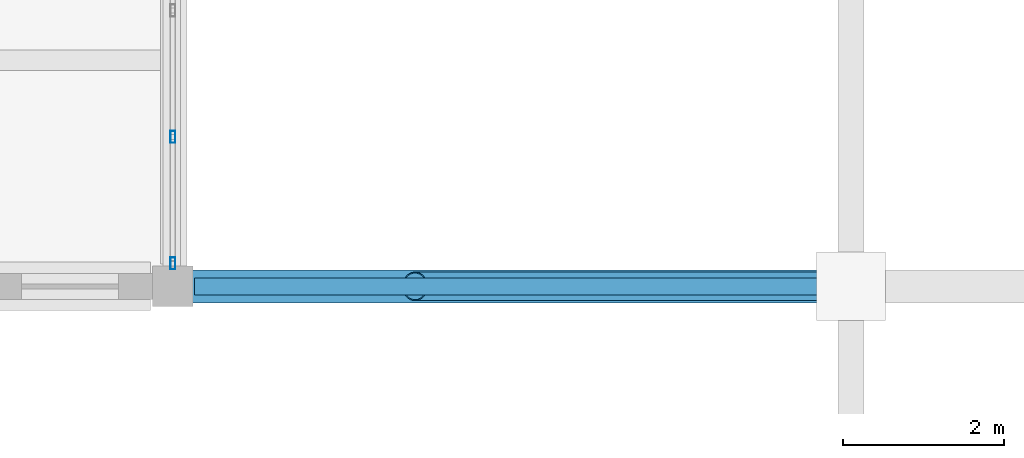
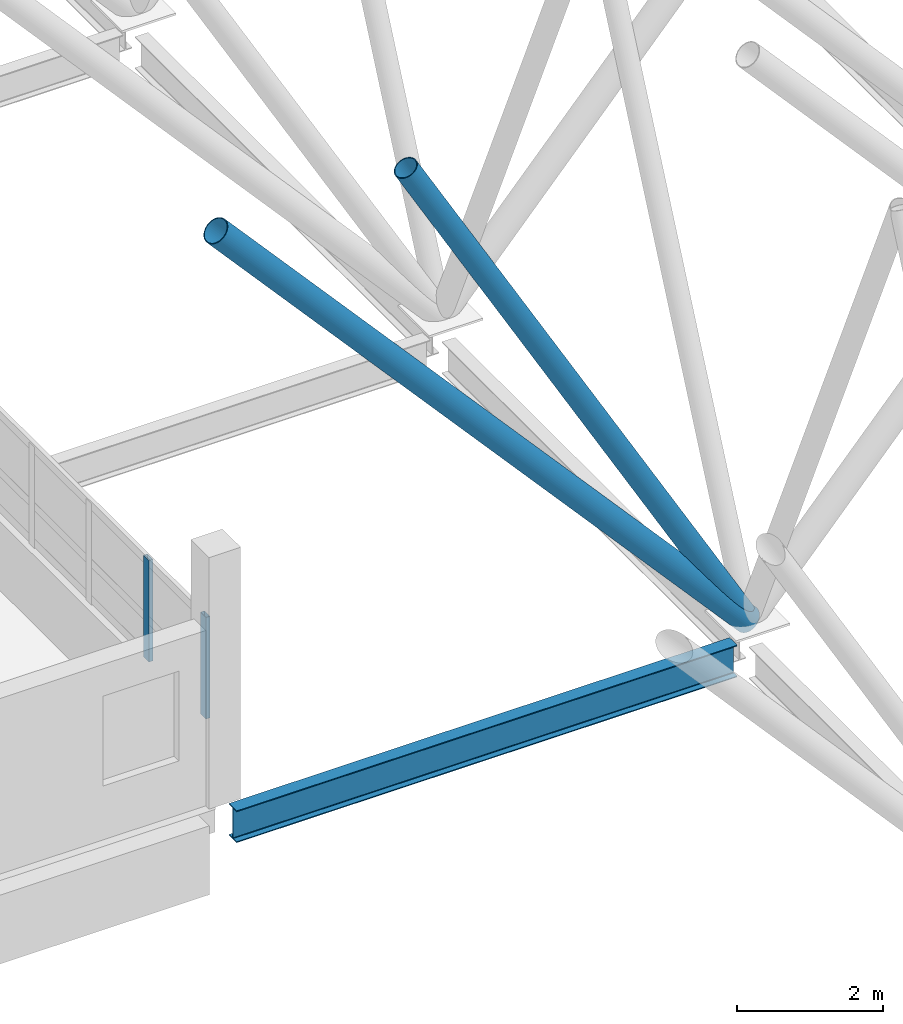
# One storey, part 7 of 107: 4 members, 1 beam, 1 element without a shape of its own.
"""IFC4 building model written with IfcOpenShell, lengths in metres."""

from ifc_helpers import new_model, si_unit, direction, frame, origin, origin_2d, place, context, subcontext, project, spatial, hollow_rectangle, hollow_circle, i_section, extrude, material, layer, layer_set, material_profile, profile_set, type_object, element, aggregate, save


model = new_model("IFC4")

# Units and contexts
model_context = context("Model", 3, precision=1e-05, world=origin(), true_north=direction((0.0, 1.0)))
body_context = subcontext(model_context, "Body", "Model", "MODEL_VIEW")
ifc_project = project(units=[si_unit("LENGTHUNIT", "METRE"), si_unit("AREAUNIT", "SQUARE_METRE"), si_unit("VOLUMEUNIT", "CUBIC_METRE"), si_unit("PLANEANGLEUNIT", "RADIAN"), si_unit("MASSUNIT", "GRAM", prefix="KILO")], contexts=[model_context])

# Site, building, storey
site_placement = place(None, origin())
site = spatial("IfcSite", under=ifc_project, at=site_placement, CompositionType="ELEMENT")
building_placement = place(site_placement, origin())
building = spatial("IfcBuilding", under=site, at=building_placement, Name="Vireocrest Preparatory School", CompositionType="ELEMENT")
storey_placement = place(building_placement, frame((0.0, 0.0, 13.199951171875)))
storey = spatial("IfcBuildingStorey", under=building, at=storey_placement, Name="L03", CompositionType="ELEMENT", Elevation=13.199951171875)

# Curtain wall, members
ifc_material_1 = material(Name="Thermally broken aluminium EN AW-6063-T6", Category="aluminium")
ifc_layer = layer(ifc_material_1, 0.179931640625)
ifc_layer_set = layer_set([ifc_layer], Name="Thermally broken aluminium EN AW-6063-T6")
curtain_wall_type = type_object("IfcCurtainWallType", Name="Court Banded Curtain Wall 8400x3000", PredefinedType="USERDEFINED", material=ifc_layer_set)
curtain_wall_placement = place(storey_placement, origin())
curtain_wall = element("IfcCurtainWall", 1, at=curtain_wall_placement, inside=storey, type_object=curtain_wall_type, Name="Curtain Wall CW02 CW_L03_CW02_0672_0356_144", ObjectType="CURTAIN WALL", PredefinedType="USERDEFINED")
ifc_material_profile_1 = material_profile(ifc_material_1, hollow_rectangle(XDim=0.06494140625, YDim=0.14990234375, WallThickness=0.00390625, at=origin_2d()), Name="ALU 65x150x4")
ifc_profile_set_1 = profile_set([ifc_material_profile_1], Name="Thermally broken aluminium EN AW-6063-T6")
member_type_1 = type_object("IfcMemberType", Name="CW Mullion 65x150x4", PredefinedType="MULLION", material=ifc_profile_set_1)
member_1_placement = place(storey_placement, frame((67.199951171875, 35.68505859375, 1.150146484375), z_axis=(0.0, 0.0, 1.0), x_axis=(1.0, 0.0, 0.0)))
member_1 = element("IfcMember", 2, at=member_1_placement, type_object=member_type_1, Name="CW Mullion ML1 CW_L03_CW02_0672_0356_144-1", PredefinedType="MULLION", context=body_context, shape_type="SweptSolid", body=[
    extrude(hollow_rectangle(XDim=0.06494140625, YDim=0.14990234375, WallThickness=0.00390625, at=origin_2d()), origin(), (0.0, 0.0, 1.0), 1.69482421875),
])
member_2_placement = place(storey_placement, frame((67.199951171875, 37.2509765625, 1.150146484375), z_axis=(0.0, 0.0, 1.0), x_axis=(1.0, 0.0, 0.0)))
member_2 = element("IfcMember", 3, at=member_2_placement, type_object=member_type_1, Name="CW Mullion ML1 CW_L03_CW02_0672_0356_144-2", PredefinedType="MULLION", context=body_context, shape_type="SweptSolid", body=[
    extrude(hollow_rectangle(XDim=0.06494140625, YDim=0.14990234375, WallThickness=0.00390625, at=origin_2d()), origin(), (0.0, 0.0, 1.0), 1.69482421875),
])
aggregate(curtain_wall, [member_1, member_2])

# Beam
ifc_material_2 = material(Name="Structural steel ASTM A992 Grade 50", Category="steel")
ifc_material_profile_2 = material_profile(ifc_material_2, i_section(OverallWidth=0.208984375, OverallDepth=0.532958984375, WebThickness=0.01025390625, FlangeThickness=0.015625, FilletRadius=0.014892578125, at=origin_2d()), Name="W21X62")
ifc_profile_set_2 = profile_set([ifc_material_profile_2], Name="Structural steel ASTM A992 Grade 50")
beam_type = type_object("IfcBeamType", Name="Court Tie Girder W21X62", PredefinedType="BEAM", material=ifc_profile_set_2)
beam_placement = place(storey_placement, frame((67.469970703125, 35.39990234375, -0.56640625), z_axis=(1.0, 0.0, 0.0), x_axis=(0.0, 1.0, 0.0)))
element("IfcBeam", 4, at=beam_placement, inside=storey, type_object=beam_type, Name="Court Trunk Lateral Tie Girder SB5 W2 L03", PredefinedType="BEAM", context=body_context, shape_type="SweptSolid", body=[
    extrude(i_section(OverallWidth=0.208984375, OverallDepth=0.532958984375, WebThickness=0.01025390625, FlangeThickness=0.015625, FilletRadius=0.014892578125, at=origin_2d()), origin(), (0.0, 0.0, 1.0), 7.906494140625),
])

# Members
ifc_material_3 = material(Name="Painted white steel ASTM A500 Grade C", Category="steel")
ifc_material_profile_3 = material_profile(ifc_material_3, hollow_circle(Radius=0.177734375, WallThickness=0.0126953125, at=origin_2d()), Name="HSS14.000X0.500")
ifc_profile_set_3 = profile_set([ifc_material_profile_3], Name="Painted white steel ASTM A500 Grade C")
member_type_2 = type_object("IfcMemberType", Name="White Steel Canopy V-Strut HSS14.000X0.500", PredefinedType="USERDEFINED", material=ifc_profile_set_3)
member_3_placement = place(storey_placement, frame((75.60009765625, 35.39990234375, -0.010009765625), z_axis=(-0.496934732374, 0.0, 0.867787918653), x_axis=(0.0, -1.0, 0.0)))
element("IfcMember", 5, at=member_3_placement, inside=storey, type_object=member_type_2, Name="White Steel V-Strut VS1 W2", ObjectType="STRUT", PredefinedType="USERDEFINED", context=body_context, shape_type="SweptSolid", body=[
    extrude(hollow_circle(Radius=0.177734375, WallThickness=0.0126953125, at=origin_2d()), origin(), (0.0, 0.0, 1.0), 10.866943359375),
])
ifc_material_profile_4 = material_profile(ifc_material_3, hollow_circle(Radius=0.203125, WallThickness=0.0126953125, at=origin_2d()), Name="HSS16.000X0.500")
ifc_profile_set_4 = profile_set([ifc_material_profile_4], Name="Painted white steel ASTM A500 Grade C")
member_type_3 = type_object("IfcMemberType", Name="White Steel V-Column Branch HSS16.000X0.500", PredefinedType="USERDEFINED", material=ifc_profile_set_4)
member_4_placement = place(storey_placement, frame((75.60009765625, 35.39990234375, -0.010009765625), z_axis=(-0.665149409377, 0.0, 0.746710294027), x_axis=(0.0, -1.0, 0.0)))
element("IfcMember", 6, at=member_4_placement, inside=storey, type_object=member_type_3, Name="White Steel V-Column Branch VC3 W2-A1", ObjectType="STRUT", PredefinedType="USERDEFINED", context=body_context, shape_type="SweptSolid", body=[
    extrude(hollow_circle(Radius=0.203125, WallThickness=0.0126953125, at=origin_2d()), origin(), (0.0, 0.0, 1.0), 12.62890625),
])

save(model, "model.ifc")
